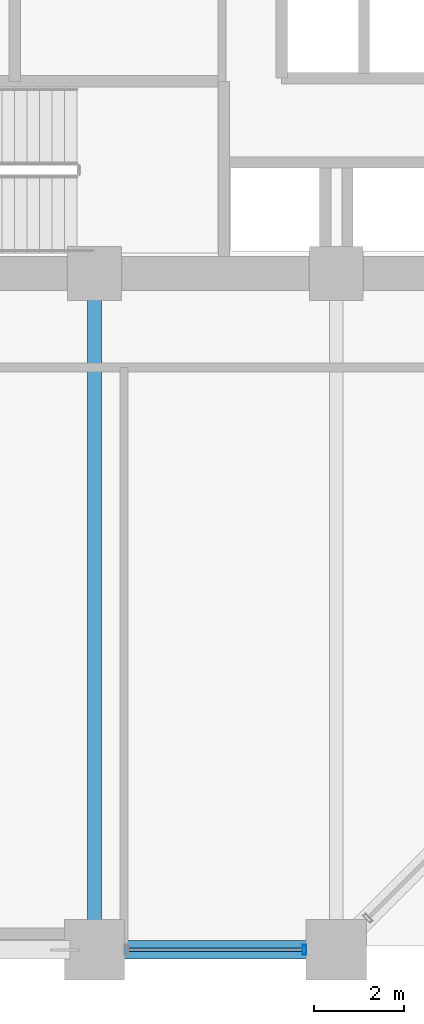
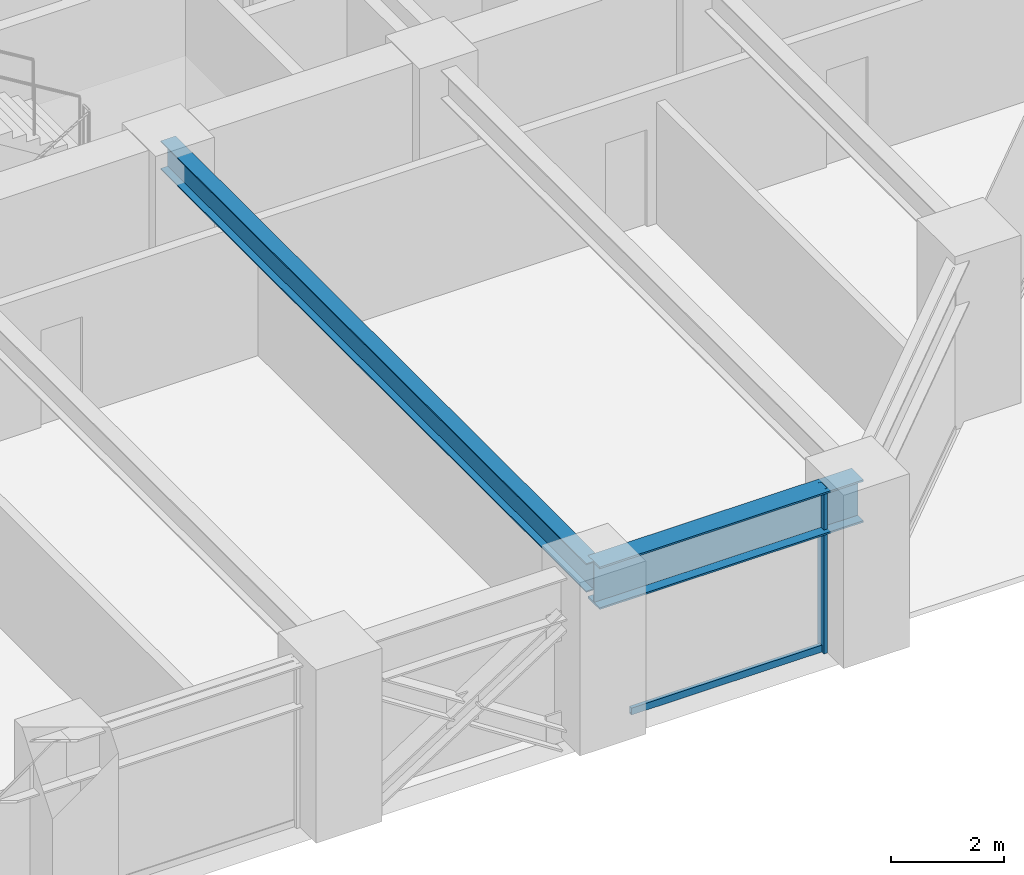
# One storey, part 5 of 27: 2 beams, 2 members, 1 element without a shape of its own.
"""IFC4 building model written with IfcOpenShell, lengths in metres."""

from ifc_helpers import new_model, si_unit, direction, frame, origin, origin_2d, place, context, subcontext, project, spatial, hollow_rectangle, i_section, extrude, material, layer, layer_set, material_profile, profile_set, type_object, element, aggregate, save


model = new_model("IFC4")

# Units and contexts
model_context = context("Model", 3, precision=1e-05, world=origin(), true_north=direction((0.0, 1.0)))
body_context = subcontext(model_context, "Body", "Model", "MODEL_VIEW")
ifc_project = project(units=[si_unit("LENGTHUNIT", "METRE"), si_unit("AREAUNIT", "SQUARE_METRE"), si_unit("VOLUMEUNIT", "CUBIC_METRE"), si_unit("PLANEANGLEUNIT", "RADIAN"), si_unit("MASSUNIT", "GRAM", prefix="KILO")], contexts=[model_context])

# Site, building, storey
site_placement = place(None, origin())
site = spatial("IfcSite", under=ifc_project, at=site_placement, CompositionType="ELEMENT")
building_placement = place(site_placement, origin())
building = spatial("IfcBuilding", under=site, at=building_placement, Name="Surkhivell Harbour Commons", CompositionType="ELEMENT")
storey_placement = place(building_placement, frame((0.0, 0.0, 22.5)))
storey = spatial("IfcBuildingStorey", under=building, at=storey_placement, Name="L05", CompositionType="ELEMENT", Elevation=22.5)

# Beams
ifc_material_1 = material(Name="Steel S355", Category="steel")
ifc_material_profile_1 = material_profile(ifc_material_1, i_section(OverallWidth=0.306884765625, OverallDepth=0.6201171875, WebThickness=0.01416015625, FlangeThickness=0.023681640625, at=origin_2d()), Name="UB610x305x179")
ifc_profile_set_1 = profile_set([ifc_material_profile_1], Name="Steel S355")
beam_type_1 = type_object("IfcBeamType", Name="BM-GRD-610A", PredefinedType="BEAM", material=ifc_profile_set_1)
beam_1_placement = place(storey_placement, frame((-5.39990234375, -25.89990234375, 3.260009765625), z_axis=(0.0, 1.0, 0.0), x_axis=(-1.0, 0.0, 0.0)))
element("IfcBeam", 1, at=beam_1_placement, inside=storey, type_object=beam_type_1, Name="L05 Floor Girder (-5.4,-25.9)", PredefinedType="BEAM", context=body_context, shape_type="SweptSolid", body=[
    extrude(i_section(OverallWidth=0.306884765625, OverallDepth=0.6201171875, WebThickness=0.01416015625, FlangeThickness=0.023681640625, at=origin_2d()), origin(), (0.0, 0.0, 1.0), 15.099853515625),
])
ifc_material_2 = material(Name="Steel S460", Category="steel")
ifc_material_profile_2 = material_profile(ifc_material_2, i_section(OverallWidth=0.419921875, OverallDepth=0.9208984375, WebThickness=0.021484375, FlangeThickness=0.03662109375, at=origin_2d()), Name="UB914x419x388")
ifc_profile_set_2 = profile_set([ifc_material_profile_2], Name="Steel S460")
beam_type_2 = type_object("IfcBeamType", Name="BM-SPN-914A", PredefinedType="SPANDREL", material=ifc_profile_set_2)
beam_2_placement = place(storey_placement, frame((-5.39990234375, -25.89990234375, 3.109619140625), z_axis=(1.0, 0.0, 0.0), x_axis=(0.0, 1.0, 0.0)))
element("IfcBeam", 2, at=beam_2_placement, inside=storey, type_object=beam_type_2, Name="L05 Tube Spandrel (-5.4,-25.9)", PredefinedType="SPANDREL", context=body_context, shape_type="SweptSolid", body=[
    extrude(i_section(OverallWidth=0.419921875, OverallDepth=0.9208984375, WebThickness=0.021484375, FlangeThickness=0.03662109375, at=origin_2d()), origin(), (0.0, 0.0, 1.0), 5.39990234375),
])

# Curtain wall, members
ifc_material_3 = material(Name="Anodised pale-metal aluminium and insulated glazing", Category="aluminium")
ifc_layer = layer(ifc_material_3, 0.219970703125)
ifc_layer_set = layer_set([ifc_layer], Name="Anodised pale-metal aluminium and insulated glazing")
curtain_wall_type = type_object("IfcCurtainWallType", Name="CW-SYS-Z1", PredefinedType="NOTDEFINED", material=ifc_layer_set)
curtain_wall_placement = place(storey_placement, origin())
curtain_wall = element("IfcCurtainWall", 3, at=curtain_wall_placement, inside=storey, type_object=curtain_wall_type, Name="L05 Curtain Wall CW-L05-E00S2", PredefinedType="NOTDEFINED")
ifc_material_4 = material(Name="Anodised pale-metal aluminium alloy 6063-T6", Category="aluminium")
ifc_material_profile_3 = material_profile(ifc_material_4, hollow_rectangle(XDim=0.074951171875, YDim=0.219970703125, WallThickness=0.00390625, at=origin_2d()), Name="ALU-MULL-75x220")
ifc_profile_set_3 = profile_set([ifc_material_profile_3], Name="Anodised pale-metal aluminium alloy 6063-T6")
member_type_1 = type_object("IfcMemberType", Name="CWM-220", PredefinedType="MULLION", material=ifc_profile_set_3)
member_1_placement = place(storey_placement, frame((-0.714599609375, -25.89990234375, 0.0), z_axis=(0.0, 0.0, 1.0), x_axis=(1.0, 0.0, 0.0)))
member_1 = element("IfcMember", 4, at=member_1_placement, type_object=member_type_1, Name="CW-Z1 mullion 2", PredefinedType="MULLION", context=body_context, shape_type="SweptSolid", body=[
    extrude(hollow_rectangle(XDim=0.074951171875, YDim=0.219970703125, WallThickness=0.00390625, at=origin_2d()), origin(), (0.0, 0.0, 1.0), 3.570068359375),
])
ifc_material_profile_4 = material_profile(ifc_material_4, hollow_rectangle(XDim=0.074951171875, YDim=0.14990234375, WallThickness=0.00341796875, at=origin_2d()), Name="ALU-TRAN-75x150")
ifc_profile_set_4 = profile_set([ifc_material_profile_4], Name="Anodised pale-metal aluminium alloy 6063-T6")
member_type_2 = type_object("IfcMemberType", Name="CWT-150", PredefinedType="USERDEFINED", material=ifc_profile_set_4)
member_2_placement = place(storey_placement, frame((-4.64794921875, -25.89990234375, 0.074951171875), z_axis=(1.0, 0.0, 0.0), x_axis=(0.0, 1.0, 0.0)))
member_2 = element("IfcMember", 5, at=member_2_placement, type_object=member_type_2, Name="CW-Z1 transom 1.1", ObjectType="TRANSOM", PredefinedType="USERDEFINED", context=body_context, shape_type="SweptSolid", body=[
    extrude(hollow_rectangle(XDim=0.074951171875, YDim=0.14990234375, WallThickness=0.00341796875, at=origin_2d()), origin(), (0.0, 0.0, 1.0), 3.89599609375),
])
aggregate(curtain_wall, [member_1, member_2])

save(model, "model.ifc")
